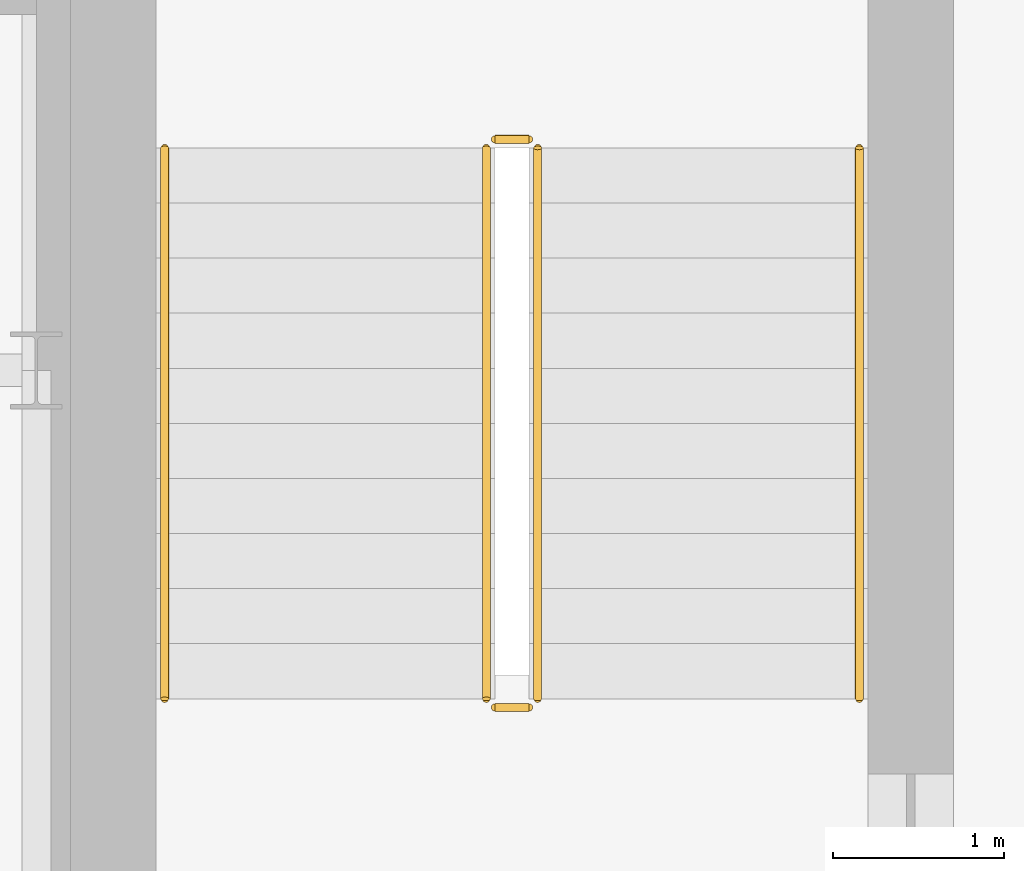
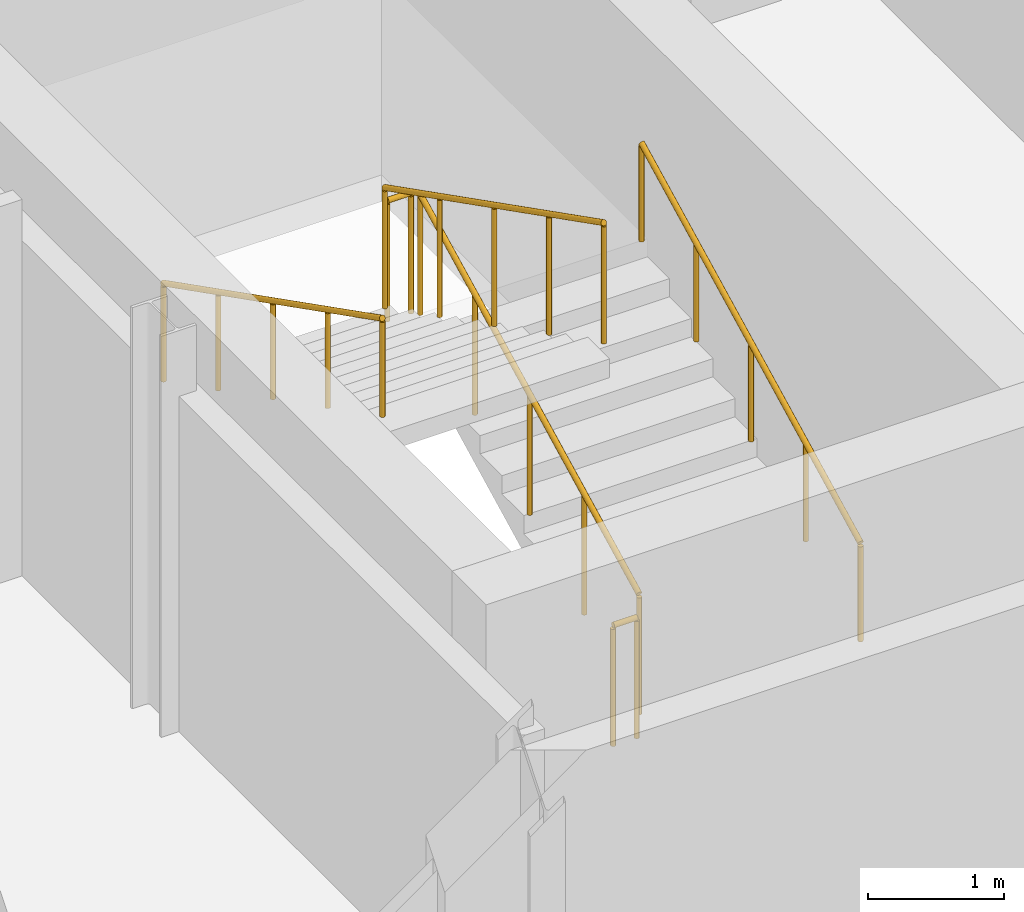
# One storey, part 29 of 30: 6 railings.
"""IFC4 building model written with IfcOpenShell, lengths in metres."""

from ifc_helpers import new_model, si_unit, direction, frame, origin, origin_2d, place, context, subcontext, project, spatial, circle, extrude, material, type_object, element, save


model = new_model("IFC4")

# Units and contexts
model_context = context("Model", 3, precision=1e-05, world=origin(), true_north=direction((0.0, 1.0)))
body_context = subcontext(model_context, "Body", "Model", "MODEL_VIEW")
ifc_project = project(units=[si_unit("LENGTHUNIT", "METRE"), si_unit("AREAUNIT", "SQUARE_METRE"), si_unit("VOLUMEUNIT", "CUBIC_METRE"), si_unit("PLANEANGLEUNIT", "RADIAN"), si_unit("MASSUNIT", "GRAM", prefix="KILO")], contexts=[model_context])

# Site, building, storey
site_placement = place(None, origin())
site = spatial("IfcSite", under=ifc_project, at=site_placement, CompositionType="ELEMENT")
building_placement = place(site_placement, origin())
building = spatial("IfcBuilding", under=site, at=building_placement, Name="Sefraquen Railside Congress Hotel", CompositionType="ELEMENT")
storey_placement = place(building_placement, frame((0.0, 0.0, 35.39990234375)))
storey = spatial("IfcBuildingStorey", under=building, at=storey_placement, Name="L08", CompositionType="ELEMENT", Elevation=35.39990234375)

# Railings
ifc_material = material(Name="Patinated wrought architectural bronze", Category="metal")
railing_type_1 = type_object("IfcRailingType", Name="TRL-BAL-110", PredefinedType="BALUSTRADE", material=ifc_material)
railing_1_placement = place(storey_placement, frame((67.1298828125, 99.47998046875, 0.163818359375)))
element("IfcRailing", 1, at=railing_1_placement, inside=storey, type_object=railing_type_1, Name="L08 ST-H03 stair guard 1", PredefinedType="BALUSTRADE", context=body_context, shape_type="SweptSolid", body=[
    extrude(circle(Radius=0.02392578125, at=origin_2d()), frame((0.0, 0.0, 1.076171875), z_axis=(0.0, 0.89150174374, 0.453017263367), x_axis=(-1.0, 0.0, 0.0)), (0.0, 0.0, 1.0), 3.61181640625),
    extrude(circle(Radius=0.02099609375, at=origin_2d()), origin(), (0.0, 0.0, 1.0), 1.052001953125),
    extrude(circle(Radius=0.02099609375, at=origin_2d()), frame((0.0, 0.804931640625, 0.4091796875)), (0.0, 0.0, 1.0), 1.052001953125),
    extrude(circle(Radius=0.02099609375, at=origin_2d()), frame((0.0, 1.60986328125, 0.818115234375)), (0.0, 0.0, 1.0), 1.052001953125),
    extrude(circle(Radius=0.02099609375, at=origin_2d()), frame((0.0, 2.4150390625, 1.22705078125)), (0.0, 0.0, 1.0), 1.052001953125),
    extrude(circle(Radius=0.02099609375, at=origin_2d()), frame((0.0, 3.219970703125, 1.63623046875)), (0.0, 0.0, 1.0), 1.052001953125),
])
railing_2_placement = place(storey_placement, frame((67.080078125, 102.75, 1.800048828125)))
element("IfcRailing", 2, at=railing_2_placement, inside=storey, type_object=railing_type_1, Name="L08 ST-H03 stair guard 2", PredefinedType="BALUSTRADE", context=body_context, shape_type="SweptSolid", body=[
    extrude(circle(Radius=0.02392578125, at=origin_2d()), frame((0.0, 0.0, 1.076171875), z_axis=(-1.0, 0.0, 0.0), x_axis=(0.0, -1.0, 0.0)), (0.0, 0.0, 1.0), 0.2001953125),
    extrude(circle(Radius=0.02099609375, at=origin_2d()), origin(), (0.0, 0.0, 1.0), 1.052001953125),
    extrude(circle(Radius=0.02099609375, at=origin_2d()), frame((-0.2001953125, 0.0, 0.0)), (0.0, 0.0, 1.0), 1.052001953125),
])
railing_3_placement = place(storey_placement, frame((66.830078125, 102.699951171875, 1.963623046875)))
element("IfcRailing", 3, at=railing_3_placement, inside=storey, type_object=railing_type_1, Name="L08 ST-H03 stair guard 3", PredefinedType="BALUSTRADE", context=body_context, shape_type="SweptSolid", body=[
    extrude(circle(Radius=0.02392578125, at=origin_2d()), frame((0.0, 0.0, 1.076171875), z_axis=(0.0, -0.891474443924, 0.453070983215), x_axis=(1.0, 0.0, 0.0)), (0.0, 0.0, 1.0), 3.612060546875),
    extrude(circle(Radius=0.02099609375, at=origin_2d()), origin(), (0.0, 0.0, 1.0), 1.052001953125),
    extrude(circle(Radius=0.02099609375, at=origin_2d()), frame((0.0, -0.804931640625, 0.4091796875)), (0.0, 0.0, 1.0), 1.052001953125),
    extrude(circle(Radius=0.02099609375, at=origin_2d()), frame((0.0, -1.60986328125, 0.818359375)), (0.0, 0.0, 1.0), 1.052001953125),
    extrude(circle(Radius=0.02099609375, at=origin_2d()), frame((0.0, -2.4150390625, 1.227294921875)), (0.0, 0.0, 1.0), 1.052001953125),
    extrude(circle(Radius=0.02099609375, at=origin_2d()), frame((0.0, -3.219970703125, 1.636474609375)), (0.0, 0.0, 1.0), 1.052001953125),
])
railing_4_placement = place(storey_placement, frame((67.080078125, 99.429931640625, 0.0)))
element("IfcRailing", 4, at=railing_4_placement, inside=storey, type_object=railing_type_1, Name="L08 ST-H03 stair guard 4", PredefinedType="BALUSTRADE", context=body_context, shape_type="SweptSolid", body=[
    extrude(circle(Radius=0.02392578125, at=origin_2d()), frame((0.0, 0.0, 1.076171875), z_axis=(-1.0, 0.0, 0.0), x_axis=(0.0, -1.0, 0.0)), (0.0, 0.0, 1.0), 0.2001953125),
    extrude(circle(Radius=0.02099609375, at=origin_2d()), origin(), (0.0, 0.0, 1.0), 1.052001953125),
    extrude(circle(Radius=0.02099609375, at=origin_2d()), frame((-0.2001953125, 0.0, 0.0)), (0.0, 0.0, 1.0), 1.052001953125),
])
railing_type_2 = type_object("IfcRailingType", Name="TRL-HR-090", PredefinedType="HANDRAIL", material=ifc_material)
railing_5_placement = place(storey_placement, frame((69.010009765625, 99.47998046875, 0.163818359375)))
element("IfcRailing", 5, at=railing_5_placement, inside=storey, type_object=railing_type_2, Name="L08 ST-H03 stair handrail 1", PredefinedType="HANDRAIL", context=body_context, shape_type="SweptSolid", body=[
    extrude(circle(Radius=0.02392578125, at=origin_2d()), frame((0.0, 0.0, 0.8759765625), z_axis=(0.0, 0.89150174374, 0.453017263367), x_axis=(-1.0, 0.0, 0.0)), (0.0, 0.0, 1.0), 3.61181640625),
    extrude(circle(Radius=0.02099609375, at=origin_2d()), origin(), (0.0, 0.0, 1.0), 0.851806640625),
    extrude(circle(Radius=0.02099609375, at=origin_2d()), frame((0.0, 0.804931640625, 0.4091796875)), (0.0, 0.0, 1.0), 0.851806640625),
    extrude(circle(Radius=0.02099609375, at=origin_2d()), frame((0.0, 1.60986328125, 0.818115234375)), (0.0, 0.0, 1.0), 0.851806640625),
    extrude(circle(Radius=0.02099609375, at=origin_2d()), frame((0.0, 2.4150390625, 1.22705078125)), (0.0, 0.0, 1.0), 0.851806640625),
    extrude(circle(Radius=0.02099609375, at=origin_2d()), frame((0.0, 3.219970703125, 1.63623046875)), (0.0, 0.0, 1.0), 0.851806640625),
])
railing_6_placement = place(storey_placement, frame((64.949951171875, 102.699951171875, 1.963623046875)))
element("IfcRailing", 6, at=railing_6_placement, inside=storey, type_object=railing_type_2, Name="L08 ST-H03 stair handrail 2", PredefinedType="HANDRAIL", context=body_context, shape_type="SweptSolid", body=[
    extrude(circle(Radius=0.02392578125, at=origin_2d()), frame((0.0, 0.0, 0.8759765625), z_axis=(0.0, -0.891474443924, 0.453070983215), x_axis=(1.0, 0.0, 0.0)), (0.0, 0.0, 1.0), 3.612060546875),
    extrude(circle(Radius=0.02099609375, at=origin_2d()), origin(), (0.0, 0.0, 1.0), 0.851806640625),
    extrude(circle(Radius=0.02099609375, at=origin_2d()), frame((0.0, -0.804931640625, 0.4091796875)), (0.0, 0.0, 1.0), 0.851806640625),
    extrude(circle(Radius=0.02099609375, at=origin_2d()), frame((0.0, -1.60986328125, 0.818359375)), (0.0, 0.0, 1.0), 0.851806640625),
    extrude(circle(Radius=0.02099609375, at=origin_2d()), frame((0.0, -2.4150390625, 1.227294921875)), (0.0, 0.0, 1.0), 0.851806640625),
    extrude(circle(Radius=0.02099609375, at=origin_2d()), frame((0.0, -3.219970703125, 1.636474609375)), (0.0, 0.0, 1.0), 0.851806640625),
])

save(model, "model.ifc")
